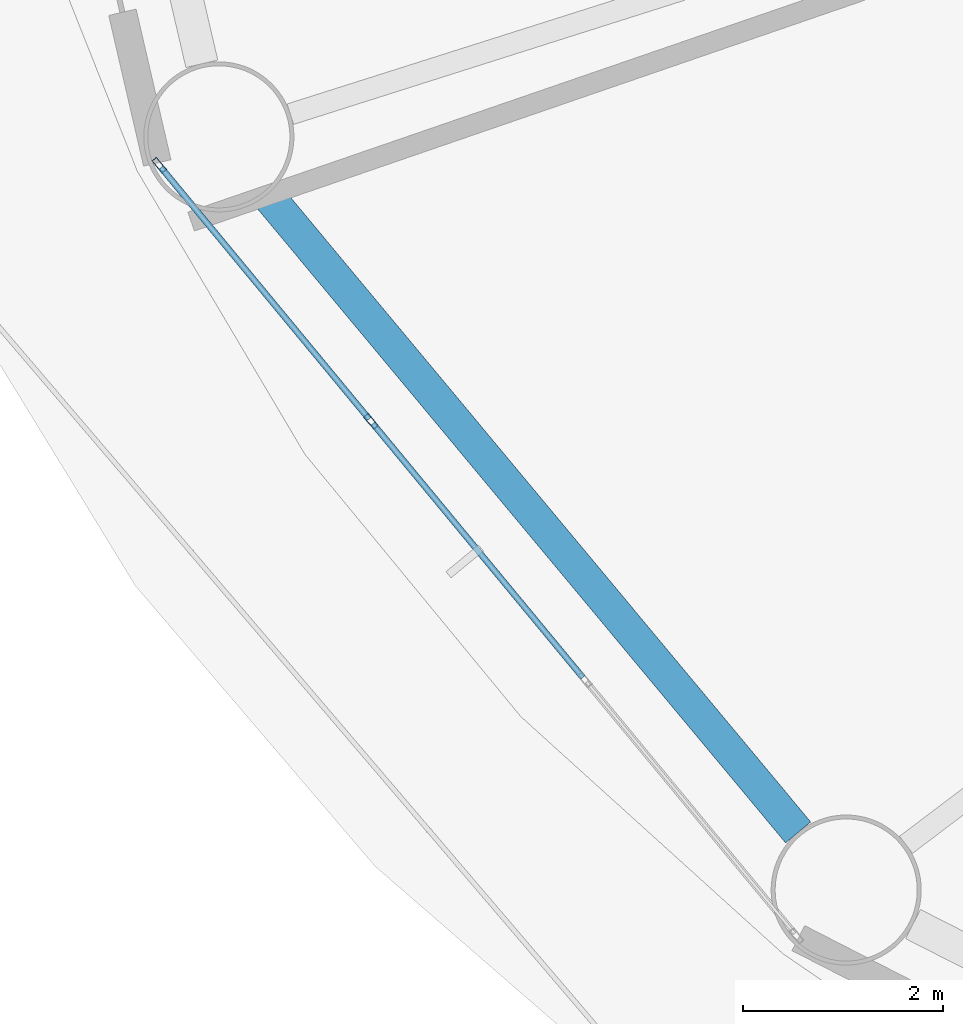
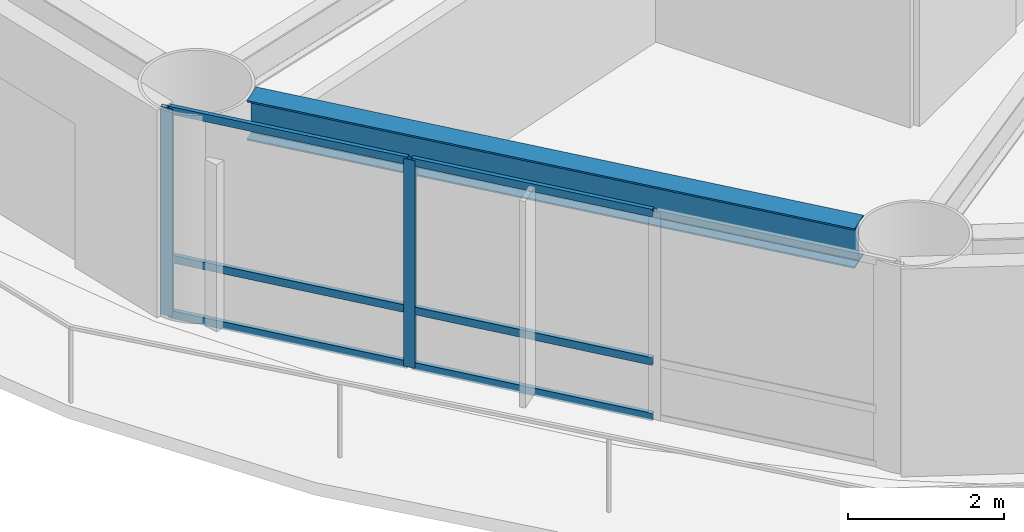
# One storey, part 3 of 27: 8 members, 1 beam, 1 element without a shape of its own.
"""IFC4 building model written with IfcOpenShell, lengths in metres."""

import ifcopenshell
import ifcopenshell.guid

model = None  # the IFC model being written
_history = None  # IfcOwnerHistory: only IFC2X3 demands one
_inside = {}  # id of a spatial element -> (the spatial element, [elements in it])
_under = {}  # id of a project, library or spatial element -> (it, [spatial elements below it])
_declared = {}  # id of a project -> (the project, [libraries it declares])
_typed = {}  # id of a type object -> (the type object, [elements of that type])
_made_of = {}  # id of a material, layer set ... -> (it, [elements and type objects made of it])


def new_model(schema):
    """Start an empty IFC model of exactly this schema.

    Asked for "IFC4X3", IfcOpenShell would pick the latest addendum, in which some entities
    have other attributes; the version numbers below select the first issue.
    IFC2X3 requires an IfcOwnerHistory on every rooted entity: one is made here for all.
    """
    global model, _history
    if schema == "IFC4X3":
        model = ifcopenshell.file(schema_version=(4, 3, 0, 0))
    else:
        model = ifcopenshell.file(schema=schema)
    _inside.clear()
    _under.clear()
    _declared.clear()
    _typed.clear()
    _made_of.clear()
    _history = None
    if model.schema == "IFC2X3":
        org = make("IfcOrganization", Name="unknown")
        user = make(
            "IfcPersonAndOrganization",
            ThePerson=make("IfcPerson", FamilyName="unknown"),
            TheOrganization=org,
        )
        app = make(
            "IfcApplication",
            ApplicationDeveloper=org,
            Version="unknown",
            ApplicationFullName="unknown",
            ApplicationIdentifier="unknown",
        )
        _history = make(
            "IfcOwnerHistory",
            OwningUser=user,
            OwningApplication=app,
            ChangeAction="ADDED",
            CreationDate=0,
        )
    return model


def make(cls, **values):
    """One entity of the class cls with the attributes given. An attribute that is None is left unset."""
    return model.create_entity(
        cls, **{name: value for name, value in values.items() if value is not None}
    )


def rooted(cls, **values):
    """An entity with a GlobalId (a new one), such as an element, a storey or a relation."""
    return make(cls, GlobalId=ifcopenshell.guid.new(), OwnerHistory=_history, **values)


def si_unit(unit_type, name, prefix=None):
    """IfcSIUnit, for example si_unit("LENGTHUNIT", "METRE", prefix="MILLI")."""
    return make("IfcSIUnit", UnitType=unit_type, Prefix=prefix, Name=name)


def assignment(units):
    """IfcUnitAssignment: the units of a project."""
    return None if units is None else make("IfcUnitAssignment", Units=units)


def point(xyz):
    """IfcCartesianPoint."""
    return None if xyz is None else make("IfcCartesianPoint", Coordinates=xyz)


def direction(xyz):
    """IfcDirection."""
    return None if xyz is None else make("IfcDirection", DirectionRatios=xyz)


def frame(location, z_axis=None, x_axis=None):
    """IfcAxis2Placement3D, a coordinate frame: its origin and axes. An axis left out is left unset."""
    return make(
        "IfcAxis2Placement3D",
        Location=point(location),
        Axis=direction(z_axis),
        RefDirection=direction(x_axis),
    )


def frame_2d(location, x_axis=None):
    """IfcAxis2Placement2D, a coordinate frame in the plane: its origin and x axis."""
    return make(
        "IfcAxis2Placement2D", Location=point(location), RefDirection=direction(x_axis)
    )


def origin():
    """The frame at (0, 0, 0) with its axes left unset."""
    return frame((0.0, 0.0, 0.0))


def origin_2d():
    """The frame at (0, 0) in the plane with its x axis left unset."""
    return frame_2d((0.0, 0.0))


def place(relative_to, where):
    """IfcLocalPlacement: puts the frame where relative to a parent placement (None: the world)."""
    return make(
        "IfcLocalPlacement", PlacementRelTo=relative_to, RelativePlacement=where
    )


def context(
    kind, dimensions, precision=None, world=None, true_north=None, identifier=None
):
    """IfcGeometricRepresentationContext, for example the 3D "Model" context."""
    return make(
        "IfcGeometricRepresentationContext",
        ContextIdentifier=identifier,
        ContextType=kind,
        CoordinateSpaceDimension=dimensions,
        Precision=precision,
        WorldCoordinateSystem=world,
        TrueNorth=true_north,
    )


def subcontext(parent, identifier, kind, view, scale=None):
    """IfcGeometricRepresentationSubContext, for example "Body" below "Model"."""
    return make(
        "IfcGeometricRepresentationSubContext",
        ContextIdentifier=identifier,
        ContextType=kind,
        ParentContext=parent,
        TargetScale=scale,
        TargetView=view,
    )


def project(units=None, contexts=None):
    """IfcProject with its units and contexts."""
    return rooted(
        "IfcProject",
        Name="project",
        RepresentationContexts=contexts,
        UnitsInContext=assignment(units),
    )


def spatial(cls, under=None, at=None, **own):
    """A site, building, storey or space (cls), placed at a placement, below another one or the project."""
    s = rooted(cls, ObjectPlacement=at, **own)
    if under is not None:
        _under.setdefault(under.id(), (under, []))[1].append(s)
    return s


def profile(cls, at=None, kind="AREA", **sizes):
    """A parametric profile (cls). Its sizes go by their IFC names, for example OverallWidth=200.0."""
    return make(cls, ProfileType=kind, Position=at, **sizes)


def hollow_rectangle(**sizes):
    """IfcRectangleHollowProfileDef."""
    return profile("IfcRectangleHollowProfileDef", **sizes)


def i_section(**sizes):
    """IfcIShapeProfileDef."""
    return profile("IfcIShapeProfileDef", **sizes)


def extrude(swept, where, along, depth):
    """IfcExtrudedAreaSolid: the profile swept, set in the frame where, extruded along a direction by depth."""
    return make(
        "IfcExtrudedAreaSolid",
        SweptArea=swept,
        Position=where,
        ExtrudedDirection=direction(along),
        Depth=depth,
    )


def shape(context_of_items, identifier, shape_type, items):
    """IfcShapeRepresentation: the items that make up one representation, for example the "Body"."""
    return make(
        "IfcShapeRepresentation",
        ContextOfItems=context_of_items,
        RepresentationIdentifier=identifier,
        RepresentationType=shape_type,
        Items=items,
    )


def material(Name=None, Category=None):
    """IfcMaterial."""
    return make("IfcMaterial", Name=Name, Category=Category)


def layer(
    of_material, thickness, ventilated=None, Name=None, Category=None, Priority=None
):
    """IfcMaterialLayer: one layer of a wall or slab, of a material (None: an air gap)."""
    return make(
        "IfcMaterialLayer",
        Material=of_material,
        LayerThickness=thickness,
        IsVentilated=ventilated,
        Name=Name,
        Category=Category,
        Priority=Priority,
    )


def layer_set(layers, Name=None):
    """IfcMaterialLayerSet."""
    return make("IfcMaterialLayerSet", MaterialLayers=layers, LayerSetName=Name)


def material_profile(
    of_material, cross_section, Name=None, Category=None, Priority=None
):
    """IfcMaterialProfile: a cross section and its material."""
    return make(
        "IfcMaterialProfile",
        Name=Name,
        Material=of_material,
        Profile=cross_section,
        Priority=Priority,
        Category=Category,
    )


def profile_set(profiles, Name=None, composite=None):
    """IfcMaterialProfileSet."""
    return make(
        "IfcMaterialProfileSet",
        Name=Name,
        MaterialProfiles=profiles,
        CompositeProfile=composite,
    )


def made_of(thing, what):
    """Note that an element or type object is made of a material, layer set ...; save() writes the relation."""
    if what is not None:
        _made_of.setdefault(what.id(), (what, []))[1].append(thing)
    return thing


def type_object(cls, material=None, **own):
    """A type object (cls), such as IfcWallType, which elements share."""
    return made_of(rooted(cls, **own), material)


def element(
    cls,
    number,
    at=None,
    inside=None,
    cuts=None,
    type_object=None,
    material=None,
    context=None,
    identifier="Body",
    shape_type=None,
    held_by="IfcProductDefinitionShape",
    body=None,
    shapes=None,
    **own,
):
    """One element of the class cls, such as IfcWall. Its Tag is "e" and its number.

    at: its placement. inside: the storey or other place that contains it. cuts: it is an
    opening in that element (IfcRelVoidsElement). A single representation is given by context,
    identifier, shape_type and body (its items); several are given by shapes. held_by: the class
    of the entity that holds the representations. save() writes the other relations.
    """
    e = rooted(cls, Tag="e%d" % number, ObjectPlacement=at, **own)
    if body is not None:
        shapes = [shape(context, identifier, shape_type, body)]
    if shapes is not None:
        e.Representation = make(held_by, Representations=shapes)
    if inside is not None:
        _inside.setdefault(inside.id(), (inside, []))[1].append(e)
    if cuts is not None:
        rooted(
            "IfcRelVoidsElement", RelatingBuildingElement=cuts, RelatedOpeningElement=e
        )
    if type_object is not None:
        _typed.setdefault(type_object.id(), (type_object, []))[1].append(e)
    return made_of(e, material)


def aggregate(whole, parts):
    """IfcRelAggregates: a whole, such as a stair, and the parts it consists of."""
    return rooted("IfcRelAggregates", RelatingObject=whole, RelatedObjects=parts)


def save(model, path):
    """Write the relations noted so far, then the file.

    IfcRelAggregates (storeys below a building ...), IfcRelContainedInSpatialStructure (elements
    in a storey), IfcRelDefinesByType, IfcRelAssociatesMaterial and IfcRelDeclares: one each for
    every whole, place, type object, material and project.
    """
    for whole, parts in _under.values():
        aggregate(whole, parts)
    for where, things in _inside.values():
        rooted(
            "IfcRelContainedInSpatialStructure",
            RelatedElements=things,
            RelatingStructure=where,
        )
    for kind, things in _typed.values():
        rooted("IfcRelDefinesByType", RelatedObjects=things, RelatingType=kind)
    for what, things in _made_of.values():
        rooted("IfcRelAssociatesMaterial", RelatedObjects=things, RelatingMaterial=what)
    for by, libraries in _declared.values():
        rooted("IfcRelDeclares", RelatingContext=by, RelatedDefinitions=libraries)
    model.write(path)


model = new_model("IFC4")

# Units and contexts
model_context = context("Model", 3, precision=1e-05, world=origin(), true_north=direction((0.0, 1.0)))
body_context = subcontext(model_context, "Body", "Model", "MODEL_VIEW")
ifc_project = project(units=[si_unit("LENGTHUNIT", "METRE"), si_unit("AREAUNIT", "SQUARE_METRE"), si_unit("VOLUMEUNIT", "CUBIC_METRE"), si_unit("PLANEANGLEUNIT", "RADIAN"), si_unit("MASSUNIT", "GRAM", prefix="KILO")], contexts=[model_context])

# Site, building, storey
site_placement = place(None, origin())
site = spatial("IfcSite", under=ifc_project, at=site_placement, CompositionType="ELEMENT")
building_placement = place(site_placement, origin())
building = spatial("IfcBuilding", under=site, at=building_placement, Name="Sarneth Arch Tower", CompositionType="ELEMENT")
storey_placement = place(building_placement, frame((0.0, 0.0, 75.0)))
storey = spatial("IfcBuildingStorey", under=building, at=storey_placement, Name="L18", CompositionType="ELEMENT", Elevation=75.0)

# Beam
ifc_material_1 = material(Name="Steel S355", Category="steel")
ifc_material_profile_1 = material_profile(ifc_material_1, i_section(OverallWidth=0.326904296875, OverallDepth=0.6220703125, WebThickness=0.015380859375, FlangeThickness=0.0244140625, FilletRadius=0.01904296875, at=origin_2d()), Name="W610x195")
ifc_profile_set_1 = profile_set([ifc_material_profile_1], Name="Steel S355")
beam_type = type_object("IfcBeamType", Name="BM-SPAN-610A", PredefinedType="SPANDREL", material=ifc_profile_set_1)
beam_placement = place(storey_placement, frame((20.514404296875, 32.54541015625, 2.93896484375), z_axis=(0.639981736251, -0.768390120489, 0.0), x_axis=(0.768390120489, 0.639981736251, 0.0)))
element("IfcBeam", 1, at=beam_placement, inside=storey, type_object=beam_type, Name="L18 Perimeter spandrel beam 10", PredefinedType="SPANDREL", context=body_context, shape_type="SweptSolid", body=[
    extrude(i_section(OverallWidth=0.326904296875, OverallDepth=0.6220703125, WebThickness=0.015380859375, FlangeThickness=0.0244140625, FilletRadius=0.01904296875, at=origin_2d()), origin(), (0.0, 0.0, 1.0), 8.29541015625),
])

# Curtain wall, members
ifc_material_2 = material(Name="Anodised aluminium Type AA25 and solar-control low-e laminated IGU", Category="aluminium")
ifc_layer = layer(ifc_material_2, 0.159912109375)
ifc_layer_set = layer_set([ifc_layer], Name="Anodised aluminium Type AA25 and solar-control low-e laminated IGU")
curtain_wall_type = type_object("IfcCurtainWallType", Name="CW-HOTEL-LOW", PredefinedType="NOTDEFINED", material=ifc_layer_set)
curtain_wall_placement = place(storey_placement, origin())
curtain_wall = element("IfcCurtainWall", 2, at=curtain_wall_placement, inside=storey, type_object=curtain_wall_type, Name="L18 Unitised curtain wall facet 10", PredefinedType="NOTDEFINED")
ifc_material_3 = material(Name="Anodised Aluminium 6063-T6", Category="aluminium")
ifc_material_profile_2 = material_profile(ifc_material_3, hollow_rectangle(XDim=0.06005859375, YDim=0.159912109375, WallThickness=0.00390625, at=origin_2d()), Name="AL-MULL-160x60x4")
ifc_profile_set_2 = profile_set([ifc_material_profile_2], Name="Anodised Aluminium 6063-T6")
member_type_1 = type_object("IfcMemberType", Name="CW-MULLION", PredefinedType="MULLION", material=ifc_profile_set_2)
member_1_placement = place(storey_placement, frame((19.438232421875, 32.83837890625, 0.0), z_axis=(0.0, 0.0, 1.0), x_axis=(0.770622960278, 0.637291340827, 0.0)))
member_1 = element("IfcMember", 3, at=member_1_placement, type_object=member_type_1, Name="CW-SYS-3 mullion 1", PredefinedType="MULLION", context=body_context, shape_type="SweptSolid", body=[
    extrude(hollow_rectangle(XDim=0.06005859375, YDim=0.159912109375, WallThickness=0.00390625, at=origin_2d()), origin(), (0.0, 0.0, 1.0), 3.25),
])
member_2_placement = place(storey_placement, frame((21.5546875, 30.279052734375, 0.0), z_axis=(0.0, 0.0, 1.0), x_axis=(0.770622960278, 0.637291340827, 0.0)))
member_2 = element("IfcMember", 4, at=member_2_placement, type_object=member_type_1, Name="CW-SYS-3 mullion 2", PredefinedType="MULLION", context=body_context, shape_type="SweptSolid", body=[
    extrude(hollow_rectangle(XDim=0.06005859375, YDim=0.159912109375, WallThickness=0.00390625, at=origin_2d()), origin(), (0.0, 0.0, 1.0), 3.25),
])
ifc_material_4 = material(Name="Anodised Aluminium 6063-T6", Category="aluminium")
ifc_material_profile_3 = material_profile(ifc_material_4, hollow_rectangle(XDim=0.06005859375, YDim=0.1201171875, WallThickness=0.00390625, at=origin_2d()), Name="AL-TRAN-120x60x4")
ifc_profile_set_3 = profile_set([ifc_material_profile_3], Name="Anodised Aluminium 6063-T6")
member_type_2 = type_object("IfcMemberType", Name="CW-TRANSOM", PredefinedType="USERDEFINED", material=ifc_profile_set_3)
member_3_placement = place(storey_placement, frame((19.457275390625, 32.815185546875, 0.030029296875), z_axis=(0.63733019572, -0.77059082633, 0.0), x_axis=(0.77059082633, 0.63733019572, 0.0)))
member_3 = element("IfcMember", 5, at=member_3_placement, type_object=member_type_2, Name="CW-SYS-3 transom 1.1", ObjectType="TRANSOM", PredefinedType="USERDEFINED", context=body_context, shape_type="SweptSolid", body=[
    extrude(hollow_rectangle(XDim=0.06005859375, YDim=0.1201171875, WallThickness=0.00390625, at=origin_2d()), origin(), (0.0, 0.0, 1.0), 3.260986328125),
])
member_4_placement = place(storey_placement, frame((19.457275390625, 32.815185546875, 0.89990234375), z_axis=(0.63733019572, -0.77059082633, 0.0), x_axis=(0.77059082633, 0.63733019572, 0.0)))
member_4 = element("IfcMember", 6, at=member_4_placement, type_object=member_type_2, Name="CW-SYS-3 transom 1.2", ObjectType="TRANSOM", PredefinedType="USERDEFINED", context=body_context, shape_type="SweptSolid", body=[
    extrude(hollow_rectangle(XDim=0.06005859375, YDim=0.1201171875, WallThickness=0.00390625, at=origin_2d()), origin(), (0.0, 0.0, 1.0), 3.260986328125),
])
member_5_placement = place(storey_placement, frame((19.457275390625, 32.815185546875, 3.219970703125), z_axis=(0.63733019572, -0.77059082633, 0.0), x_axis=(0.77059082633, 0.63733019572, 0.0)))
member_5 = element("IfcMember", 7, at=member_5_placement, type_object=member_type_2, Name="CW-SYS-3 transom 1.3", ObjectType="TRANSOM", PredefinedType="USERDEFINED", context=body_context, shape_type="SweptSolid", body=[
    extrude(hollow_rectangle(XDim=0.06005859375, YDim=0.1201171875, WallThickness=0.00390625, at=origin_2d()), origin(), (0.0, 0.0, 1.0), 3.260986328125),
])
member_6_placement = place(storey_placement, frame((21.57373046875, 30.256103515625, 0.030029296875), z_axis=(0.637268595771, -0.770641769465, 0.0), x_axis=(0.770641769465, 0.637268595771, 0.0)))
member_6 = element("IfcMember", 8, at=member_6_placement, type_object=member_type_2, Name="CW-SYS-3 transom 2.1", ObjectType="TRANSOM", PredefinedType="USERDEFINED", context=body_context, shape_type="SweptSolid", body=[
    extrude(hollow_rectangle(XDim=0.06005859375, YDim=0.1201171875, WallThickness=0.00390625, at=origin_2d()), origin(), (0.0, 0.0, 1.0), 3.291259765625),
])
member_7_placement = place(storey_placement, frame((21.57373046875, 30.256103515625, 0.89990234375), z_axis=(0.637268595771, -0.770641769465, 0.0), x_axis=(0.770641769465, 0.637268595771, 0.0)))
member_7 = element("IfcMember", 9, at=member_7_placement, type_object=member_type_2, Name="CW-SYS-3 transom 2.2", ObjectType="TRANSOM", PredefinedType="USERDEFINED", context=body_context, shape_type="SweptSolid", body=[
    extrude(hollow_rectangle(XDim=0.06005859375, YDim=0.1201171875, WallThickness=0.00390625, at=origin_2d()), origin(), (0.0, 0.0, 1.0), 3.291259765625),
])
member_8_placement = place(storey_placement, frame((21.57373046875, 30.256103515625, 3.219970703125), z_axis=(0.637268595771, -0.770641769465, 0.0), x_axis=(0.770641769465, 0.637268595771, 0.0)))
member_8 = element("IfcMember", 10, at=member_8_placement, type_object=member_type_2, Name="CW-SYS-3 transom 2.3", ObjectType="TRANSOM", PredefinedType="USERDEFINED", context=body_context, shape_type="SweptSolid", body=[
    extrude(hollow_rectangle(XDim=0.06005859375, YDim=0.1201171875, WallThickness=0.00390625, at=origin_2d()), origin(), (0.0, 0.0, 1.0), 3.291259765625),
])
aggregate(curtain_wall, [member_1, member_2, member_3, member_4, member_5, member_6, member_7, member_8])

save(model, "model.ifc")
